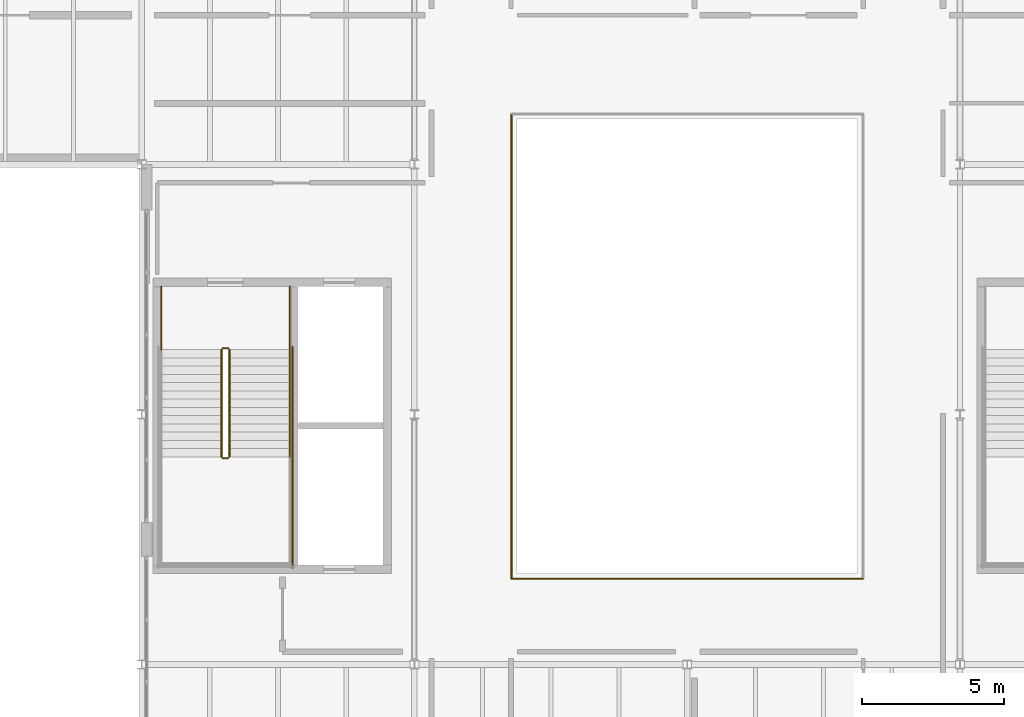
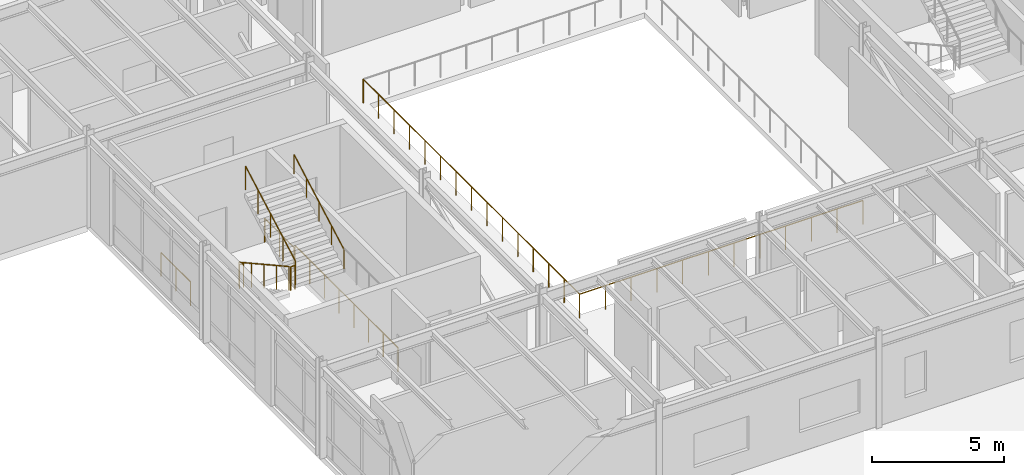
# One storey, part 61 of 69: 10 railings.
"""IFC4 building model written with IfcOpenShell, lengths in metres."""

from ifc_helpers import new_model, si_unit, direction, frame, origin, origin_2d, place, context, subcontext, project, spatial, circle, extrude, material, layer, layer_set, type_object, element, save


model = new_model("IFC4")

# Units and contexts
model_context = context("Model", 3, precision=1e-05, world=origin(), true_north=direction((0.0, 1.0)))
body_context = subcontext(model_context, "Body", "Model", "MODEL_VIEW")
ifc_project = project(units=[si_unit("LENGTHUNIT", "METRE"), si_unit("AREAUNIT", "SQUARE_METRE"), si_unit("VOLUMEUNIT", "CUBIC_METRE"), si_unit("PLANEANGLEUNIT", "RADIAN"), si_unit("MASSUNIT", "GRAM", prefix="KILO")], contexts=[model_context])

# Site, building, storey
site_placement = place(None, origin())
site = spatial("IfcSite", under=ifc_project, at=site_placement, CompositionType="ELEMENT")
building_placement = place(site_placement, origin())
building = spatial("IfcBuilding", under=site, at=building_placement, Name="Sarnbrook Museum", CompositionType="ELEMENT")
storey_placement = place(building_placement, frame((0.0, 0.0, 14.60009765625)))
storey = spatial("IfcBuildingStorey", under=building, at=storey_placement, Name="L03", CompositionType="ELEMENT", Elevation=14.60009765625)

# Railings
ifc_material = material(Name="Brushed Stainless Steel Grade 316", Category="steel")
ifc_layer_1 = layer(ifc_material, 0.050048828125)
ifc_layer_set_1 = layer_set([ifc_layer_1], Name="Brushed Stainless Steel Grade 316")
railing_type_1 = type_object("IfcRailingType", Name="Guard_Int1120", PredefinedType="BALUSTRADE", material=ifc_layer_set_1)
railing_1_placement = place(storey_placement, frame((83.610107421875, 67.8798828125, 0.16064453125)))
element("IfcRailing", 1, at=railing_1_placement, inside=storey, type_object=railing_type_1, Name="L03 ST3 stair guard 1", PredefinedType="BALUSTRADE", context=body_context, shape_type="SweptSolid", body=[
    extrude(circle(Radius=0.02392578125, at=origin_2d()), frame((0.0, 0.0, 1.09619140625), z_axis=(0.0, -0.874645791573, 0.484762559697), x_axis=(1.0, 0.0, 0.0)), (0.0, 0.0, 1.0), 4.31005859375),
    extrude(circle(Radius=0.02099609375, at=origin_2d()), origin(), (0.0, 0.0, 1.0), 1.072021484375),
    extrude(circle(Radius=0.02099609375, at=origin_2d()), frame((0.0, -0.9423828125, 0.5224609375)), (0.0, 0.0, 1.0), 1.072021484375),
    extrude(circle(Radius=0.02099609375, at=origin_2d()), frame((0.0, -1.884765625, 1.044677734375)), (0.0, 0.0, 1.0), 1.072021484375),
    extrude(circle(Radius=0.02099609375, at=origin_2d()), frame((0.0, -2.827392578125, 1.56689453125)), (0.0, 0.0, 1.0), 1.072021484375),
    extrude(circle(Radius=0.02099609375, at=origin_2d()), frame((0.0, -3.769775390625, 2.08935546875)), (0.0, 0.0, 1.0), 1.072021484375),
])
railing_2_placement = place(storey_placement, frame((83.659912109375, 64.06005859375, 2.25)))
element("IfcRailing", 2, at=railing_2_placement, inside=storey, type_object=railing_type_1, Name="L03 ST3 stair guard 2", PredefinedType="BALUSTRADE", context=body_context, shape_type="SweptSolid", body=[
    extrude(circle(Radius=0.02392578125, at=origin_2d()), frame((0.0, 0.0, 1.09619140625), z_axis=(1.0, 0.0, 0.0), x_axis=(0.0, 1.0, 0.0)), (0.0, 0.0, 1.0), 0.18017578125),
    extrude(circle(Radius=0.02099609375, at=origin_2d()), origin(), (0.0, 0.0, 1.0), 1.072021484375),
    extrude(circle(Radius=0.02099609375, at=origin_2d()), frame((0.18017578125, 0.0, 0.0)), (0.0, 0.0, 1.0), 1.072021484375),
])
railing_3_placement = place(storey_placement, frame((83.889892578125, 64.110107421875, 2.41064453125)))
element("IfcRailing", 3, at=railing_3_placement, inside=storey, type_object=railing_type_1, Name="L03 ST3 stair guard 6", PredefinedType="BALUSTRADE", context=body_context, shape_type="SweptSolid", body=[
    extrude(circle(Radius=0.02392578125, at=origin_2d()), frame((0.0, 0.0, 1.09619140625), z_axis=(0.0, 0.874645791573, 0.484762559697), x_axis=(-1.0, 0.0, 0.0)), (0.0, 0.0, 1.0), 4.31005859375),
    extrude(circle(Radius=0.02099609375, at=origin_2d()), origin(), (0.0, 0.0, 1.0), 1.072021484375),
    extrude(circle(Radius=0.02099609375, at=origin_2d()), frame((0.0, 0.9423828125, 0.5224609375)), (0.0, 0.0, 1.0), 1.072021484375),
    extrude(circle(Radius=0.02099609375, at=origin_2d()), frame((0.0, 1.884765625, 1.044677734375)), (0.0, 0.0, 1.0), 1.072021484375),
    extrude(circle(Radius=0.02099609375, at=origin_2d()), frame((0.0, 2.827392578125, 1.56689453125)), (0.0, 0.0, 1.0), 1.072021484375),
    extrude(circle(Radius=0.02099609375, at=origin_2d()), frame((0.0, 3.769775390625, 2.08935546875)), (0.0, 0.0, 1.0), 1.072021484375),
])
railing_4_placement = place(storey_placement, frame((83.659912109375, 67.929931640625, 0.0)))
element("IfcRailing", 4, at=railing_4_placement, inside=storey, type_object=railing_type_1, Name="L03 ST3 stair guard 7", PredefinedType="BALUSTRADE", context=body_context, shape_type="SweptSolid", body=[
    extrude(circle(Radius=0.02392578125, at=origin_2d()), frame((0.0, 0.0, 1.09619140625), z_axis=(1.0, 0.0, 0.0), x_axis=(0.0, 1.0, 0.0)), (0.0, 0.0, 1.0), 0.18017578125),
    extrude(circle(Radius=0.02099609375, at=origin_2d()), origin(), (0.0, 0.0, 1.0), 1.072021484375),
    extrude(circle(Radius=0.02099609375, at=origin_2d()), frame((0.18017578125, 0.0, 0.0)), (0.0, 0.0, 1.0), 1.072021484375),
])
for number, where, name in (
    (5, (81.489990234375, 70.10009765625, 0.0), "L03 ST3 stair guard 8"),
    (6, (86.010009765625, 70.10009765625, 0.0), "L03 ST3 stair guard 9"),
):
    element("IfcRailing", number, at=place(storey_placement, frame(where)), inside=storey, type_object=railing_type_1, Name=name, PredefinedType="BALUSTRADE", context=body_context, shape_type="SweptSolid", body=[
        extrude(circle(Radius=0.02392578125, at=origin_2d()), frame((0.0, 0.0, 1.09619140625), z_axis=(0.0, -1.0, 0.0), x_axis=(1.0, 0.0, 0.0)), (0.0, 0.0, 1.0), 2.22021484375),
        extrude(circle(Radius=0.02099609375, at=origin_2d()), origin(), (0.0, 0.0, 1.0), 1.072021484375),
        extrude(circle(Radius=0.02099609375, at=origin_2d()), frame((0.0, -1.110107421875, 0.0)), (0.0, 0.0, 1.0), 1.072021484375),
        extrude(circle(Radius=0.02099609375, at=origin_2d()), frame((0.0, -2.22021484375, 0.0)), (0.0, 0.0, 1.0), 1.072021484375),
    ])
railing_5_placement = place(storey_placement, frame((86.110107421875, 67.97998046875, 0.0)))
element("IfcRailing", 7, at=railing_5_placement, inside=storey, type_object=railing_type_1, Name="L03 ST3 stair guard 11", PredefinedType="BALUSTRADE", context=body_context, shape_type="SweptSolid", body=[
    extrude(circle(Radius=0.02392578125, at=origin_2d()), frame((0.0, 0.0, 1.09619140625), z_axis=(0.0, -1.0, 0.0), x_axis=(1.0, 0.0, 0.0)), (0.0, 0.0, 1.0), 7.780029296875),
    extrude(circle(Radius=0.02099609375, at=origin_2d()), origin(), (0.0, 0.0, 1.0), 1.072021484375),
    extrude(circle(Radius=0.02099609375, at=origin_2d()), frame((0.0, -1.111328125, 0.0)), (0.0, 0.0, 1.0), 1.072021484375),
    extrude(circle(Radius=0.02099609375, at=origin_2d()), frame((0.0, -2.222900390625, 0.0)), (0.0, 0.0, 1.0), 1.072021484375),
    extrude(circle(Radius=0.02099609375, at=origin_2d()), frame((0.0, -3.334228515625, 0.0)), (0.0, 0.0, 1.0), 1.072021484375),
    extrude(circle(Radius=0.02099609375, at=origin_2d()), frame((0.0, -4.44580078125, 0.0)), (0.0, 0.0, 1.0), 1.072021484375),
    extrude(circle(Radius=0.02099609375, at=origin_2d()), frame((0.0, -5.55712890625, 0.0)), (0.0, 0.0, 1.0), 1.072021484375),
    extrude(circle(Radius=0.02099609375, at=origin_2d()), frame((0.0, -6.668701171875, 0.0)), (0.0, 0.0, 1.0), 1.072021484375),
    extrude(circle(Radius=0.02099609375, at=origin_2d()), frame((0.0, -7.780029296875, 0.0)), (0.0, 0.0, 1.0), 1.072021484375),
])
railing_6_placement = place(storey_placement, frame((93.820068359375, 59.820068359375, 0.0)))
element("IfcRailing", 8, at=railing_6_placement, inside=storey, type_object=railing_type_1, Name="Atrium Gallery Balustrade L03-1", PredefinedType="BALUSTRADE", context=body_context, shape_type="SweptSolid", body=[
    extrude(circle(Radius=0.02392578125, at=origin_2d()), frame((0.0, 0.0, 1.09619140625), z_axis=(1.0, 0.0, 0.0), x_axis=(0.0, 1.0, 0.0)), (0.0, 0.0, 1.0), 12.35986328125),
    extrude(circle(Radius=0.02099609375, at=origin_2d()), origin(), (0.0, 0.0, 1.0), 1.072021484375),
    extrude(circle(Radius=0.02099609375, at=origin_2d()), frame((1.12353515625, 0.0, 0.0)), (0.0, 0.0, 1.0), 1.072021484375),
    extrude(circle(Radius=0.02099609375, at=origin_2d()), frame((2.247314453125, 0.0, 0.0)), (0.0, 0.0, 1.0), 1.072021484375),
    extrude(circle(Radius=0.02099609375, at=origin_2d()), frame((3.370849609375, 0.0, 0.0)), (0.0, 0.0, 1.0), 1.072021484375),
    extrude(circle(Radius=0.02099609375, at=origin_2d()), frame((4.494384765625, 0.0, 0.0)), (0.0, 0.0, 1.0), 1.072021484375),
    extrude(circle(Radius=0.02099609375, at=origin_2d()), frame((5.6181640625, 0.0, 0.0)), (0.0, 0.0, 1.0), 1.072021484375),
    extrude(circle(Radius=0.02099609375, at=origin_2d()), frame((6.74169921875, 0.0, 0.0)), (0.0, 0.0, 1.0), 1.072021484375),
    extrude(circle(Radius=0.02099609375, at=origin_2d()), frame((7.865478515625, 0.0, 0.0)), (0.0, 0.0, 1.0), 1.072021484375),
    extrude(circle(Radius=0.02099609375, at=origin_2d()), frame((8.989013671875, 0.0, 0.0)), (0.0, 0.0, 1.0), 1.072021484375),
    extrude(circle(Radius=0.02099609375, at=origin_2d()), frame((10.112548828125, 0.0, 0.0)), (0.0, 0.0, 1.0), 1.072021484375),
    extrude(circle(Radius=0.02099609375, at=origin_2d()), frame((11.236328125, 0.0, 0.0)), (0.0, 0.0, 1.0), 1.072021484375),
    extrude(circle(Radius=0.02099609375, at=origin_2d()), frame((12.35986328125, 0.0, 0.0)), (0.0, 0.0, 1.0), 1.072021484375),
])
railing_7_placement = place(storey_placement, frame((93.820068359375, 76.179931640625, 0.0)))
element("IfcRailing", 9, at=railing_7_placement, inside=storey, type_object=railing_type_1, Name="Atrium Gallery Balustrade L03-4", PredefinedType="BALUSTRADE", context=body_context, shape_type="SweptSolid", body=[
    extrude(circle(Radius=0.02392578125, at=origin_2d()), frame((0.0, 0.0, 1.09619140625), z_axis=(0.0, -1.0, 0.0), x_axis=(1.0, 0.0, 0.0)), (0.0, 0.0, 1.0), 16.35986328125),
    extrude(circle(Radius=0.02099609375, at=origin_2d()), origin(), (0.0, 0.0, 1.0), 1.072021484375),
    extrude(circle(Radius=0.02099609375, at=origin_2d()), frame((0.0, -1.16845703125, 0.0)), (0.0, 0.0, 1.0), 1.072021484375),
    extrude(circle(Radius=0.02099609375, at=origin_2d()), frame((0.0, -2.337158203125, 0.0)), (0.0, 0.0, 1.0), 1.072021484375),
    extrude(circle(Radius=0.02099609375, at=origin_2d()), frame((0.0, -3.505615234375, 0.0)), (0.0, 0.0, 1.0), 1.072021484375),
    extrude(circle(Radius=0.02099609375, at=origin_2d()), frame((0.0, -4.67431640625, 0.0)), (0.0, 0.0, 1.0), 1.072021484375),
    extrude(circle(Radius=0.02099609375, at=origin_2d()), frame((0.0, -5.8427734375, 0.0)), (0.0, 0.0, 1.0), 1.072021484375),
    extrude(circle(Radius=0.02099609375, at=origin_2d()), frame((0.0, -7.011474609375, 0.0)), (0.0, 0.0, 1.0), 1.072021484375),
    extrude(circle(Radius=0.02099609375, at=origin_2d()), frame((0.0, -8.179931640625, 0.0)), (0.0, 0.0, 1.0), 1.072021484375),
    extrude(circle(Radius=0.02099609375, at=origin_2d()), frame((0.0, -9.348388671875, 0.0)), (0.0, 0.0, 1.0), 1.072021484375),
    extrude(circle(Radius=0.02099609375, at=origin_2d()), frame((0.0, -10.51708984375, 0.0)), (0.0, 0.0, 1.0), 1.072021484375),
    extrude(circle(Radius=0.02099609375, at=origin_2d()), frame((0.0, -11.685546875, 0.0)), (0.0, 0.0, 1.0), 1.072021484375),
    extrude(circle(Radius=0.02099609375, at=origin_2d()), frame((0.0, -12.854248046875, 0.0)), (0.0, 0.0, 1.0), 1.072021484375),
    extrude(circle(Radius=0.02099609375, at=origin_2d()), frame((0.0, -14.022705078125, 0.0)), (0.0, 0.0, 1.0), 1.072021484375),
    extrude(circle(Radius=0.02099609375, at=origin_2d()), frame((0.0, -15.19140625, 0.0)), (0.0, 0.0, 1.0), 1.072021484375),
    extrude(circle(Radius=0.02099609375, at=origin_2d()), frame((0.0, -16.35986328125, 0.0)), (0.0, 0.0, 1.0), 1.072021484375),
])
ifc_layer_2 = layer(ifc_material, 0.048095703125)
ifc_layer_set_2 = layer_set([ifc_layer_2], Name="Brushed Stainless Steel Grade 316")
railing_type_2 = type_object("IfcRailingType", Name="Handrail_920", PredefinedType="HANDRAIL", material=ifc_layer_set_2)
railing_8_placement = place(storey_placement, frame((86.010009765625, 64.110107421875, 2.41064453125)))
element("IfcRailing", 10, at=railing_8_placement, inside=storey, type_object=railing_type_2, Name="L03 ST3 stair handrail 2", PredefinedType="HANDRAIL", context=body_context, shape_type="SweptSolid", body=[
    extrude(circle(Radius=0.02392578125, at=origin_2d()), frame((0.0, 0.0, 0.8857421875), z_axis=(0.0, 0.874645791573, 0.484762559697), x_axis=(-1.0, 0.0, 0.0)), (0.0, 0.0, 1.0), 4.31005859375),
    extrude(circle(Radius=0.02099609375, at=origin_2d()), origin(), (0.0, 0.0, 1.0), 0.86181640625),
    extrude(circle(Radius=0.02099609375, at=origin_2d()), frame((0.0, 0.9423828125, 0.5224609375)), (0.0, 0.0, 1.0), 0.86181640625),
    extrude(circle(Radius=0.02099609375, at=origin_2d()), frame((0.0, 1.884765625, 1.044677734375)), (0.0, 0.0, 1.0), 0.86181640625),
    extrude(circle(Radius=0.02099609375, at=origin_2d()), frame((0.0, 2.827392578125, 1.56689453125)), (0.0, 0.0, 1.0), 0.86181640625),
    extrude(circle(Radius=0.02099609375, at=origin_2d()), frame((0.0, 3.769775390625, 2.08935546875)), (0.0, 0.0, 1.0), 0.86181640625),
])

save(model, "model.ifc")
